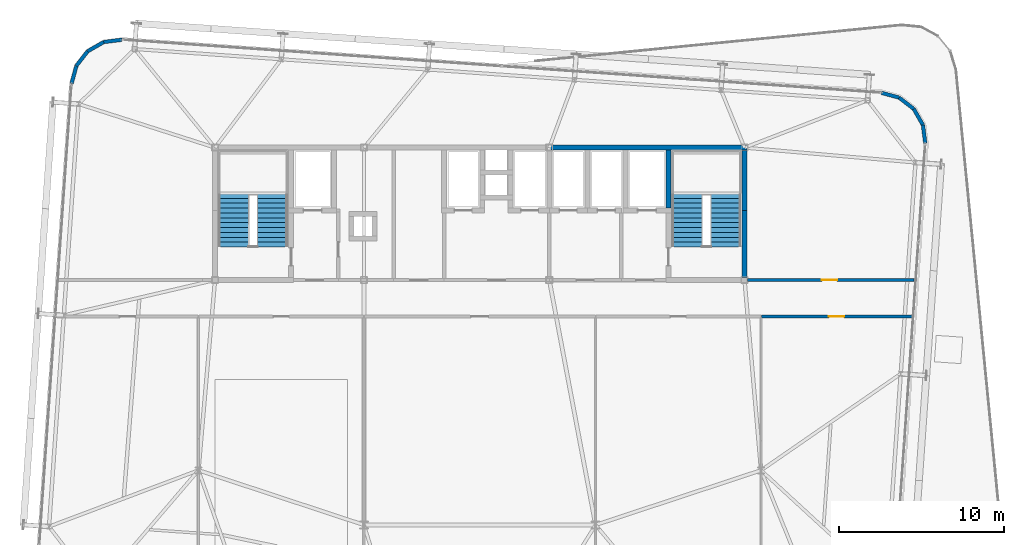
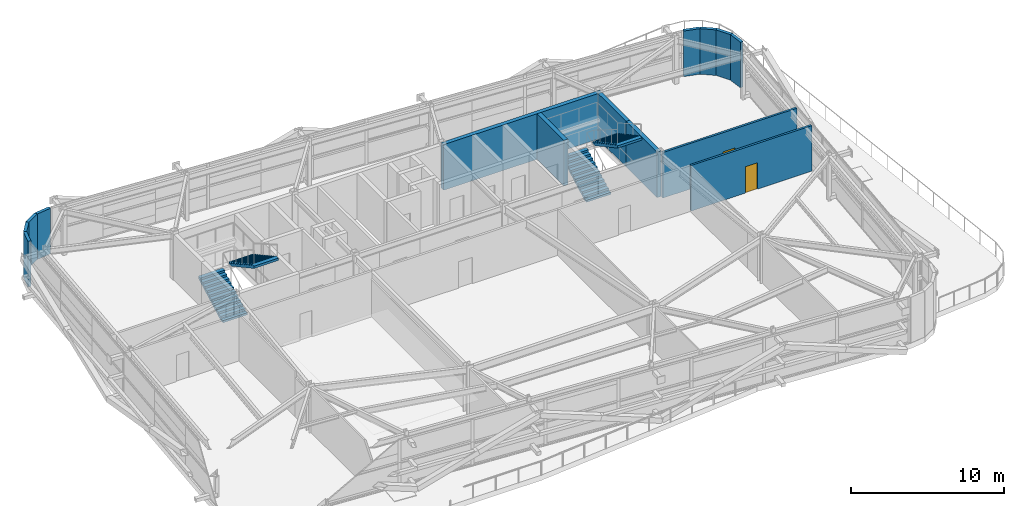
# One storey, part 33 of 36: 14 walls, 4 stair flights, 2 doors, 2 openings, 2 elements without a shape of their own.
"""IFC4 building model written with IfcOpenShell, lengths in metres."""

from ifc_helpers import new_model, si_unit, direction, frame, frame_2d, origin, place, context, subcontext, project, spatial, polyline, rectangle, outline, extrude, source, transform, mapped, material, layer, layer_set, type_object, element, fill, aggregate, save


model = new_model("IFC4")

# Units and contexts
model_context = context("Model", 3, precision=1e-05, world=origin(), true_north=direction((0.0, 1.0)))
body_context = subcontext(model_context, "Body", "Model", "MODEL_VIEW")
ifc_project = project(units=[si_unit("LENGTHUNIT", "METRE"), si_unit("AREAUNIT", "SQUARE_METRE"), si_unit("VOLUMEUNIT", "CUBIC_METRE"), si_unit("PLANEANGLEUNIT", "RADIAN"), si_unit("MASSUNIT", "GRAM", prefix="KILO")], contexts=[model_context])

# Site, building, storey
site_placement = place(None, origin())
site = spatial("IfcSite", under=ifc_project, at=site_placement, CompositionType="ELEMENT")
building_placement = place(site_placement, origin())
building = spatial("IfcBuilding", under=site, at=building_placement, Name="Taldren Reach Tower", CompositionType="ELEMENT")
storey_placement = place(building_placement, frame((0.0, 0.0, 116.550048828125)))
storey = spatial("IfcBuildingStorey", under=building, at=storey_placement, Name="L35", CompositionType="ELEMENT", Elevation=116.550048828125)

# Walls
ifc_material_1 = material(Name="Pale Champagne Anodised Aluminium Cladding", Category="aluminium")
ifc_layer_1 = layer(ifc_material_1, 0.04, Name="Pale Champagne Anodised Aluminium Cladding", Category="aluminium")
ifc_material_2 = material(Name="Mineral Wool Acoustic Insulation", Category="insulation")
ifc_layer_2 = layer(ifc_material_2, 0.06, Name="Mineral Wool Acoustic Insulation", Category="insulation")
ifc_material_3 = material(Name="Steel Gr 350 (C350L0)", Category="steel")
ifc_layer_3 = layer(ifc_material_3, 0.12, Name="Steel Gr 350 (C350L0)", Category="steel")
ifc_layer_set_1 = layer_set([ifc_layer_1, ifc_layer_2, ifc_layer_3], Name="Pale Champagne Aluminium Cladding and Steel Gr 350 Stud Framing")
wall_type_1 = type_object("IfcWallType", Name="EW-CRN-220", PredefinedType="SOLIDWALL", material=ifc_layer_set_1)
shared_shape_1 = source(origin(), body_context, "Body", "SweptSolid", [
    extrude(rectangle(XDim=1.11572265625, YDim=0.219970703125, at=frame_2d((0.557861328125, 0.0))), origin(), (0.0, 0.0, 1.0), 3.6298828125),
])
wall_1_placement = place(storey_placement, frame((12.275146484375, 38.382568359375, 0.0), z_axis=(0.0, 0.0, 1.0), x_axis=(-0.868189279113, -0.496233186751, 0.0)))
element("IfcWall", 1, at=wall_1_placement, inside=storey, type_object=wall_type_1, Name="Rounded-corner pale-metal facade wall L35-NW2", PredefinedType="SOLIDWALL", context=body_context, shape_type="MappedRepresentation", body=[
    mapped(shared_shape_1, transform((0.0, 0.0, 0.0), scale=1.0)),
])
shared_shape_2 = source(origin(), body_context, "Body", "SweptSolid", [
    extrude(rectangle(XDim=1.115966796875, YDim=0.219970703125, at=frame_2d((0.55810546875, 0.0))), origin(), (0.0, 0.0, 1.0), 3.6298828125),
])
for number, where, z_axis, x_axis, name in (
    (2, (61.923583984375, 32.261962890625, 0.0), (0.0, 0.0, 1.0), (-0.126242535829, 0.991999406324, 0.0), "Rounded-corner pale-metal facade wall L35-NE1"),
    (3, (61.78271484375, 33.368896484375, 0.0), (0.0, 0.0, 1.0), (-0.496138938357, 0.868243142124, 0.0), "Rounded-corner pale-metal facade wall L35-NE2"),
    (4, (61.22900390625, 34.337890625, 0.0), (0.0, 0.0, 1.0), (-0.790716874741, 0.612182018684, 0.0), "Rounded-corner pale-metal facade wall L35-NE3"),
    (5, (60.3466796875, 35.02099609375, 0.0), (0.0, 0.0, 1.0), (-0.964804199372, 0.262969307856, 0.0), "Rounded-corner pale-metal facade wall L35-NE4"),
    (6, (13.382080078125, 38.5234375, 0.0), (0.0, 0.0, 1.0), (-0.991999406324, -0.126242535829, 0.0), "Rounded-corner pale-metal facade wall L35-NW1"),
    (7, (11.306396484375, 37.828857421875, 0.0), (0.0, 0.0, 1.0), (-0.612318787668, -0.790610967714, 0.0), "Rounded-corner pale-metal facade wall L35-NW3"),
    (8, (10.623046875, 36.946533203125, 0.0), (0.0, 0.0, 1.0), (-0.262969307856, -0.964804199372, 0.0), "Rounded-corner pale-metal facade wall L35-NW4"),
):
    element("IfcWall", number, at=place(storey_placement, frame(where, z_axis=z_axis, x_axis=x_axis)), inside=storey, type_object=wall_type_1, Name=name, PredefinedType="SOLIDWALL", context=body_context, shape_type="MappedRepresentation", body=[
        mapped(shared_shape_2, transform((0.0, 0.0, 0.0), scale=1.0)),
    ])
ifc_material_4 = material(Name="Concrete S65 (65 MPa)", Category="concrete")
ifc_layer_4 = layer(ifc_material_4, 0.300048828125)
ifc_layer_set_2 = layer_set([ifc_layer_4], Name="Concrete S65 (65 MPa)")
wall_type_2 = type_object("IfcWallType", Name="IW-CORE-300", PredefinedType="SHEAR", material=ifc_layer_set_2)
shared_shape_3 = source(origin(), body_context, "Body", "SweptSolid", [
    extrude(rectangle(XDim=11.949951171875, YDim=0.300048828125, at=frame_2d((5.97509765625, 0.0))), origin(), (0.0, 0.0, 1.0), 3.6298828125),
])
wall_2_placement = place(storey_placement, frame((39.199951171875, 32.0, 0.0), z_axis=(0.0, 0.0, 1.0), x_axis=(1.0, 0.0, 0.0)))
element("IfcWall", 9, at=wall_2_placement, inside=storey, type_object=wall_type_2, Name="Rear Core Shear Wall W-CORE-L35-NORTH3", PredefinedType="SHEAR", context=body_context, shape_type="MappedRepresentation", body=[
    mapped(shared_shape_3, transform((0.0, 0.0, 0.0), scale=1.0)),
])
shared_shape_4 = source(origin(), body_context, "Body", "SweptSolid", [
    extrude(rectangle(XDim=4.050048828125, YDim=0.300048828125, at=frame_2d((2.02490234375, 0.0))), origin(), (0.0, 0.0, 1.0), 3.6298828125),
])
wall_3_placement = place(storey_placement, frame((51.0, 24.14990234375, 0.0), z_axis=(0.0, 0.0, 1.0), x_axis=(0.0, 1.0, 0.0)))
element("IfcWall", 10, at=wall_3_placement, inside=storey, type_object=wall_type_2, Name="Rear Core Shear Wall W-CORE-L35-EAST1", PredefinedType="SHEAR", context=body_context, shape_type="MappedRepresentation", body=[
    mapped(shared_shape_4, transform((0.0, 0.0, 0.0), scale=1.0)),
])
shared_shape_5 = source(origin(), body_context, "Body", "SweptSolid", [
    extrude(rectangle(XDim=3.650146484375, YDim=0.300048828125, at=frame_2d((1.8251953125, 0.0))), origin(), (0.0, 0.0, 1.0), 3.6298828125),
])
wall_4_placement = place(storey_placement, frame((51.0, 28.199951171875, 0.0), z_axis=(0.0, 0.0, 1.0), x_axis=(0.0, 1.0, 0.0)))
element("IfcWall", 11, at=wall_4_placement, inside=storey, type_object=wall_type_2, Name="Rear Core Shear Wall W-CORE-L35-EAST2", PredefinedType="SHEAR", context=body_context, shape_type="MappedRepresentation", body=[
    mapped(shared_shape_5, transform((0.0, 0.0, 0.0), scale=1.0)),
])
shared_shape_6 = source(origin(), body_context, "Body", "SweptSolid", [
    extrude(rectangle(XDim=3.5, YDim=0.300048828125, at=frame_2d((1.75, 0.0))), origin(), (0.0, 0.0, 1.0), 3.6298828125),
])
wall_5_placement = place(storey_placement, frame((46.39990234375, 31.85009765625, 0.0), z_axis=(0.0, 0.0, 1.0), x_axis=(0.0, -1.0, 0.0)))
element("IfcWall", 12, at=wall_5_placement, inside=storey, type_object=wall_type_2, Name="Rear Core Shear Wall W-INT-L35-008", PredefinedType="SHEAR", context=body_context, shape_type="MappedRepresentation", body=[
    mapped(shared_shape_6, transform((0.0, 0.0, 0.0), scale=1.0)),
])

# Wall, opening, door
ifc_material_5 = material(Name="Fire-Rated Acoustic Plasterboard Stud Wall", Category="gypsum")
ifc_layer_5 = layer(ifc_material_5, 0.159912109375)
ifc_layer_set_3 = layer_set([ifc_layer_5], Name="Fire-Rated Acoustic Plasterboard Stud Wall")
wall_type_3 = type_object("IfcWallType", Name="IW-FIRE-160", PredefinedType="PARTITIONING", material=ifc_layer_set_3)
shared_shape_7 = source(origin(), body_context, "Body", "SweptSolid", [
    extrude(rectangle(XDim=9.087158203125, YDim=0.159912109375, at=frame_2d((4.54345703125, 0.0))), origin(), (0.0, 0.0, 1.0), 3.6298828125),
])
wall_6_placement = place(storey_placement, frame((61.107421875, 21.800048828125, 0.0), z_axis=(0.0, 0.0, 1.0), x_axis=(-1.0, 0.0, 0.0)))
wall_6 = element("IfcWall", 13, at=wall_6_placement, inside=storey, type_object=wall_type_3, Name="Interior Partition Wall W-INT-L35-045", PredefinedType="PARTITIONING", context=body_context, shape_type="MappedRepresentation", body=[
    mapped(shared_shape_7, transform((0.0, 0.0, 0.0), scale=1.0)),
])
shared_shape_8 = source(origin(), body_context, "Body", "SweptSolid", [
    extrude(rectangle(XDim=0.919921875, YDim=2.10009765625, at=frame_2d((0.4599609375, 1.050048828125))), frame((0.0, 0.08984375, 0.0), z_axis=(0.0, -1.0, 0.0), x_axis=(1.0, 0.0, 0.0)), (0.0, 0.0, 1.0), 0.179931640625),
])
opening_1_placement = place(wall_6_placement, frame((4.08349609375, 0.0, 0.0)))
opening_1 = element("IfcOpeningElement", 14, at=opening_1_placement, cuts=wall_6, Name="Opening DI-092", PredefinedType="OPENING", context=body_context, shape_type="MappedRepresentation", body=[
    mapped(shared_shape_8, transform((0.0, 0.0, 0.0), scale=1.0)),
])
ifc_material_6 = material(Name="Solid-Core Timber Suite Door", Category="wood")
door_type = type_object("IfcDoorType", Name="ID-INT-092", OperationType="NOTDEFINED", PredefinedType="DOOR", material=ifc_material_6)
shared_shape_9 = source(origin(), body_context, "Body", "SweptSolid", [
    extrude(rectangle(XDim=0.919921875, YDim=2.10009765625, at=frame_2d((0.4599609375, 1.050048828125))), frame((0.0, 0.02490234375, 0.0), z_axis=(0.0, -1.0, 0.0), x_axis=(1.0, 0.0, 0.0)), (0.0, 0.0, 1.0), 0.050048828125),
])
door_1_placement = place(opening_1_placement, origin())
door_1 = element("IfcDoor", 15, at=door_1_placement, inside=storey, type_object=door_type, Name="Interior Door DR-L35-012", OperationType="SINGLE_SWING_LEFT", OverallHeight=2.10009765625, OverallWidth=0.919921875, PredefinedType="DOOR", context=body_context, shape_type="MappedRepresentation", body=[
    mapped(shared_shape_9, transform((0.0, 0.0, 0.0), scale=1.0)),
])
fill(opening_1, door_1)

shared_shape_10 = source(origin(), body_context, "Body", "SweptSolid", [
    extrude(rectangle(XDim=10.10009765625, YDim=0.159912109375, at=frame_2d((5.050048828125, 0.0))), origin(), (0.0, 0.0, 1.0), 3.6298828125),
])
wall_7_placement = place(storey_placement, frame((51.14990234375, 24.0, 0.0), z_axis=(0.0, 0.0, 1.0), x_axis=(1.0, 0.0, 0.0)))
wall_7 = element("IfcWall", 16, at=wall_7_placement, inside=storey, type_object=wall_type_3, Name="Interior Partition Wall W-INT-L35-046", PredefinedType="PARTITIONING", context=body_context, shape_type="MappedRepresentation", body=[
    mapped(shared_shape_10, transform((0.0, 0.0, 0.0), scale=1.0)),
])
opening_2_placement = place(wall_7_placement, frame((4.525146484375, 0.0, 0.0)))
opening_2 = element("IfcOpeningElement", 17, at=opening_2_placement, cuts=wall_7, Name="Opening DI-092", PredefinedType="OPENING", context=body_context, shape_type="MappedRepresentation", body=[
    mapped(shared_shape_8, transform((0.0, 0.0, 0.0), scale=1.0)),
])
door_2_placement = place(opening_2_placement, origin())
door_2 = element("IfcDoor", 18, at=door_2_placement, inside=storey, type_object=door_type, Name="Interior Door DR-L35-013", OperationType="SINGLE_SWING_RIGHT", OverallHeight=2.10009765625, OverallWidth=0.919921875, PredefinedType="DOOR", context=body_context, shape_type="MappedRepresentation", body=[
    mapped(shared_shape_9, transform((0.0, 0.0, 0.0), scale=1.0)),
])
fill(opening_2, door_2)

# Stair, stair flights
ifc_material_7 = material(Name="Concrete S50 (50 MPa)", Category="concrete")
stair_type = type_object("IfcStairType", Name="ST-HT-385", PredefinedType="HALF_TURN_STAIR", material=ifc_material_7)
stair_1_placement = place(storey_placement, origin())
stair_1 = element("IfcStair", 19, at=stair_1_placement, inside=storey, type_object=stair_type, Name="Fire-isolated exit stair ST1 L35", PredefinedType="HALF_TURN_STAIR")
stair_flight_type = type_object("IfcStairFlightType", Name="SF-STR-385", PredefinedType="STRAIGHT", material=ifc_material_7)
stair_flight_1_placement = place(storey_placement, frame((20.139892578125, 25.989990234375, 0.0), z_axis=(0.0, 0.0, 1.0), x_axis=(0.0, 1.0, 0.0)))
stair_flight_1 = element("IfcStairFlight", 20, at=stair_flight_1_placement, type_object=stair_flight_type, Name="ST1 flight 1", NumberOfRisers=12, NumberOfTreads=11, PredefinedType="STRAIGHT", RiserHeight=0.160417, TreadLength=0.295, context=body_context, shape_type="SweptSolid", body=[
    extrude(outline(polyline([(0.0, 0.0), (0.0, 0.160400390625), (0.294921875, 0.160400390625), (0.294921875, 0.32080078125), (0.590087890625, 0.32080078125), (0.590087890625, 0.481201171875), (0.885009765625, 0.481201171875), (0.885009765625, 0.6416015625), (1.179931640625, 0.6416015625), (1.179931640625, 0.802001953125), (1.47509765625, 0.802001953125), (1.47509765625, 0.96240234375), (1.77001953125, 0.96240234375), (1.77001953125, 1.122802734375), (2.06494140625, 1.122802734375), (2.06494140625, 1.283447265625), (2.360107421875, 1.283447265625), (2.360107421875, 1.44384765625), (2.655029296875, 1.44384765625), (2.655029296875, 1.604248046875), (2.949951171875, 1.604248046875), (2.949951171875, 1.7646484375), (3.2451171875, 1.7646484375), (3.2451171875, 1.925048828125), (3.2451171875, 1.58251953125), (0.334716796875, 0.0), (0.0, 0.0)])), frame((0.0, 0.919921875, 0.0), z_axis=(0.0, -1.0, 0.0), x_axis=(1.0, 0.0, 0.0)), (0.0, 0.0, 1.0), 1.840087890625),
])
stair_flight_2_placement = place(storey_placement, frame((22.4599609375, 29.235107421875, 1.925048828125), z_axis=(0.0, 0.0, 1.0), x_axis=(0.0, -1.0, 0.0)))
stair_flight_2 = element("IfcStairFlight", 21, at=stair_flight_2_placement, type_object=stair_flight_type, Name="ST1 flight 2", NumberOfRisers=12, NumberOfTreads=11, PredefinedType="STRAIGHT", RiserHeight=0.160417, TreadLength=0.295, context=body_context, shape_type="SweptSolid", body=[
    extrude(outline(polyline([(0.0, 0.0), (0.0, 0.160400390625), (0.294921875, 0.160400390625), (0.294921875, 0.32080078125), (0.590087890625, 0.32080078125), (0.590087890625, 0.481201171875), (0.885009765625, 0.481201171875), (0.885009765625, 0.6416015625), (1.179931640625, 0.6416015625), (1.179931640625, 0.802001953125), (1.47509765625, 0.802001953125), (1.47509765625, 0.96240234375), (1.77001953125, 0.96240234375), (1.77001953125, 1.122802734375), (2.06494140625, 1.122802734375), (2.06494140625, 1.283447265625), (2.360107421875, 1.283447265625), (2.360107421875, 1.44384765625), (2.655029296875, 1.44384765625), (2.655029296875, 1.604248046875), (2.949951171875, 1.604248046875), (2.949951171875, 1.7646484375), (3.2451171875, 1.7646484375), (3.2451171875, 1.925048828125), (3.2451171875, 1.58251953125), (0.334716796875, 0.0), (0.0, 0.0)])), frame((0.0, 0.919921875, 0.0), z_axis=(0.0, -1.0, 0.0), x_axis=(1.0, 0.0, 0.0)), (0.0, 0.0, 1.0), 1.840087890625),
])
aggregate(stair_1, [stair_flight_1, stair_flight_2])

stair_2_placement = place(storey_placement, origin())
stair_2 = element("IfcStair", 22, at=stair_2_placement, inside=storey, type_object=stair_type, Name="Fire-isolated exit stair ST2 L35", PredefinedType="HALF_TURN_STAIR")
stair_flight_3_placement = place(storey_placement, frame((47.5400390625, 25.989990234375, 0.0), z_axis=(0.0, 0.0, 1.0), x_axis=(0.0, 1.0, 0.0)))
stair_flight_3 = element("IfcStairFlight", 23, at=stair_flight_3_placement, type_object=stair_flight_type, Name="ST2 flight 1", NumberOfRisers=12, NumberOfTreads=11, PredefinedType="STRAIGHT", RiserHeight=0.160417, TreadLength=0.295, context=body_context, shape_type="SweptSolid", body=[
    extrude(outline(polyline([(0.0, 0.0), (0.0, 0.160400390625), (0.294921875, 0.160400390625), (0.294921875, 0.32080078125), (0.590087890625, 0.32080078125), (0.590087890625, 0.481201171875), (0.885009765625, 0.481201171875), (0.885009765625, 0.6416015625), (1.179931640625, 0.6416015625), (1.179931640625, 0.802001953125), (1.47509765625, 0.802001953125), (1.47509765625, 0.96240234375), (1.77001953125, 0.96240234375), (1.77001953125, 1.122802734375), (2.06494140625, 1.122802734375), (2.06494140625, 1.283447265625), (2.360107421875, 1.283447265625), (2.360107421875, 1.44384765625), (2.655029296875, 1.44384765625), (2.655029296875, 1.604248046875), (2.949951171875, 1.604248046875), (2.949951171875, 1.7646484375), (3.2451171875, 1.7646484375), (3.2451171875, 1.925048828125), (3.2451171875, 1.58251953125), (0.334716796875, 0.0), (0.0, 0.0)])), frame((0.0, 0.919921875, 0.0), z_axis=(0.0, -1.0, 0.0), x_axis=(1.0, 0.0, 0.0)), (0.0, 0.0, 1.0), 1.840087890625),
])
stair_flight_4_placement = place(storey_placement, frame((49.860107421875, 29.235107421875, 1.925048828125), z_axis=(0.0, 0.0, 1.0), x_axis=(0.0, -1.0, 0.0)))
stair_flight_4 = element("IfcStairFlight", 24, at=stair_flight_4_placement, type_object=stair_flight_type, Name="ST2 flight 2", NumberOfRisers=12, NumberOfTreads=11, PredefinedType="STRAIGHT", RiserHeight=0.160417, TreadLength=0.295, context=body_context, shape_type="SweptSolid", body=[
    extrude(outline(polyline([(0.0, 0.0), (0.0, 0.160400390625), (0.294921875, 0.160400390625), (0.294921875, 0.32080078125), (0.590087890625, 0.32080078125), (0.590087890625, 0.481201171875), (0.885009765625, 0.481201171875), (0.885009765625, 0.6416015625), (1.179931640625, 0.6416015625), (1.179931640625, 0.802001953125), (1.47509765625, 0.802001953125), (1.47509765625, 0.96240234375), (1.77001953125, 0.96240234375), (1.77001953125, 1.122802734375), (2.06494140625, 1.122802734375), (2.06494140625, 1.283447265625), (2.360107421875, 1.283447265625), (2.360107421875, 1.44384765625), (2.655029296875, 1.44384765625), (2.655029296875, 1.604248046875), (2.949951171875, 1.604248046875), (2.949951171875, 1.7646484375), (3.2451171875, 1.7646484375), (3.2451171875, 1.925048828125), (3.2451171875, 1.58251953125), (0.334716796875, 0.0), (0.0, 0.0)])), frame((0.0, 0.919921875, 0.0), z_axis=(0.0, -1.0, 0.0), x_axis=(1.0, 0.0, 0.0)), (0.0, 0.0, 1.0), 1.840087890625),
])
aggregate(stair_2, [stair_flight_3, stair_flight_4])

save(model, "model.ifc")
